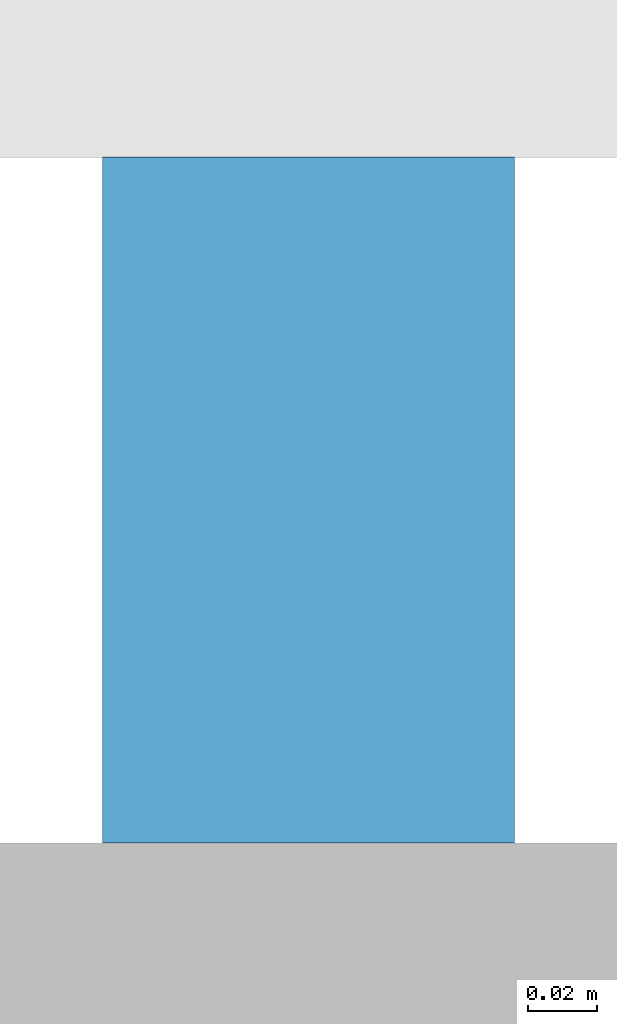
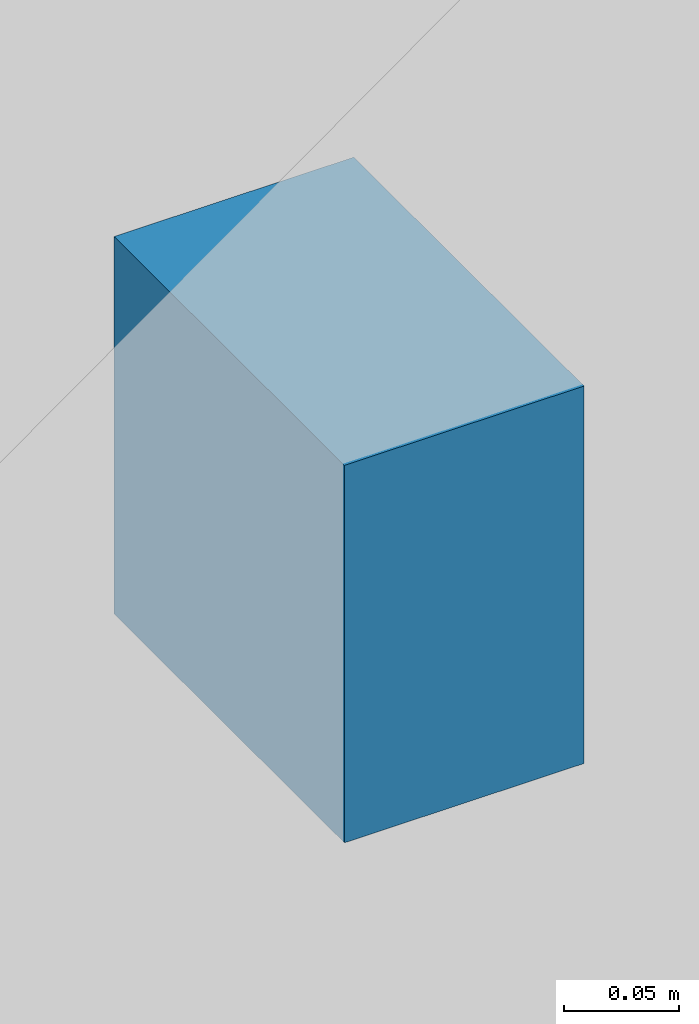
# One storey, part 228 of 646: 1 discrete accessory.
"""IFC4 building model written with IfcOpenShell, lengths in metres."""

from ifc_helpers import new_model, si_unit, direction, frame, origin, origin_2d, place, context, subcontext, project, spatial, rectangle, extrude, material, type_object, element, save


model = new_model("IFC4")

# Units and contexts
model_context = context("Model", 3, precision=1e-05, world=origin(), true_north=direction((0.0, 1.0)))
body_context = subcontext(model_context, "Body", "Model", "MODEL_VIEW")
ifc_project = project(units=[si_unit("LENGTHUNIT", "METRE"), si_unit("AREAUNIT", "SQUARE_METRE"), si_unit("VOLUMEUNIT", "CUBIC_METRE"), si_unit("PLANEANGLEUNIT", "RADIAN"), si_unit("MASSUNIT", "GRAM", prefix="KILO")], contexts=[model_context])

# Site, building, storey
site_placement = place(None, origin())
site = spatial("IfcSite", under=ifc_project, at=site_placement, CompositionType="ELEMENT")
building_placement = place(site_placement, origin())
building = spatial("IfcBuilding", under=site, at=building_placement, Name="Silverbay Arena", CompositionType="ELEMENT")
storey_placement = place(building_placement, frame((0.0, 0.0, 33.5)))
storey = spatial("IfcBuildingStorey", under=building, at=storey_placement, Name="L05", CompositionType="ELEMENT", Elevation=33.5)

# Discrete accessory
ifc_material = material(Name="Steel S355", Category="steel")
discrete_accessory_type = type_object("IfcDiscreteAccessoryType", Name="Steel bracket plate", PredefinedType="BRACKET", material=ifc_material)
discrete_accessory_placement = place(storey_placement, frame((79.0, 144.60009765625, 1.89990234375), z_axis=(0.0, 0.0, 1.0), x_axis=(1.0, 0.0, 0.0)))
element("IfcDiscreteAccessory", 1, at=discrete_accessory_placement, inside=storey, type_object=discrete_accessory_type, Name="Louvre support bracket", PredefinedType="BRACKET", context=body_context, shape_type="SweptSolid", body=[
    extrude(rectangle(XDim=0.1201171875, YDim=0.199951171875, at=origin_2d()), origin(), (0.0, 0.0, 1.0), 0.199951171875),
])

save(model, "model.ifc")
